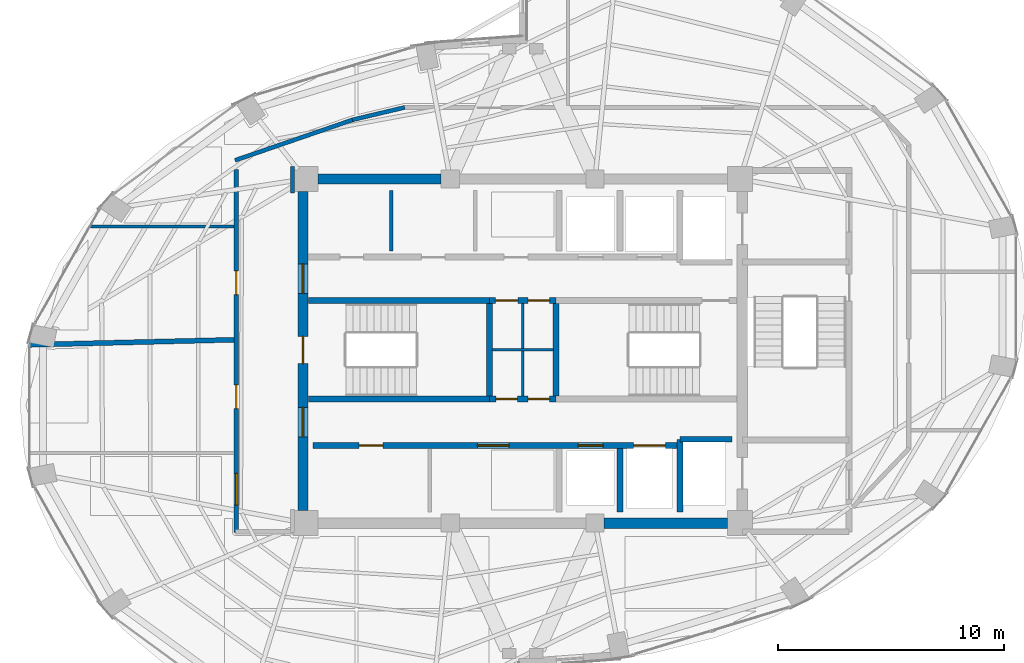
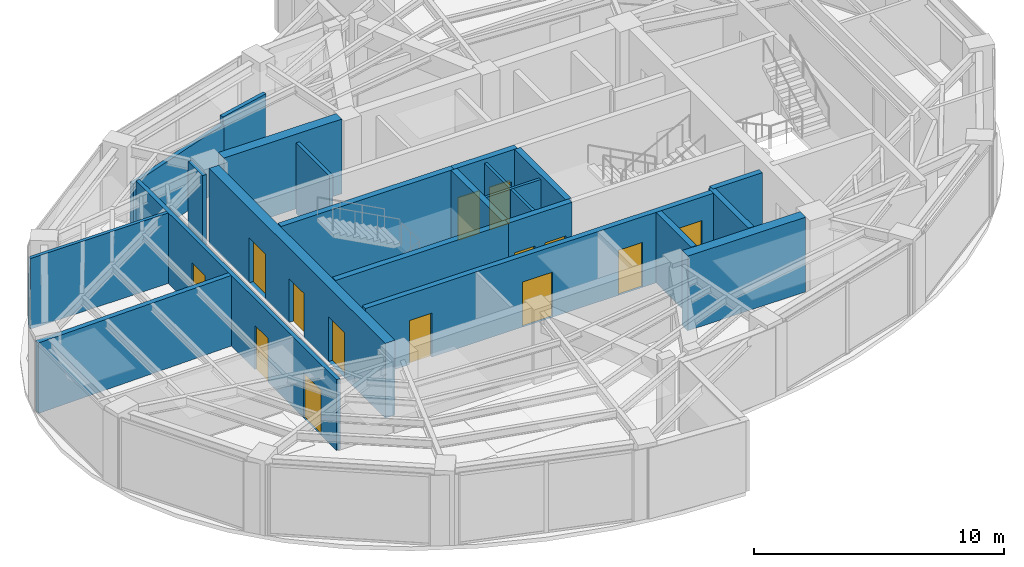
# One storey, part 19 of 23: 22 walls, 14 doors, 14 openings.
"""IFC4 building model written with IfcOpenShell, lengths in metres."""

from ifc_helpers import new_model, si_unit, direction, frame, frame_2d, origin, place, context, subcontext, project, spatial, rectangle, extrude, material, layer, layer_set, type_object, element, fill, save


model = new_model("IFC4")

# Units and contexts
model_context = context("Model", 3, precision=1e-05, world=origin(), true_north=direction((0.0, 1.0)))
body_context = subcontext(model_context, "Body", "Model", "MODEL_VIEW")
ifc_project = project(units=[si_unit("LENGTHUNIT", "METRE"), si_unit("AREAUNIT", "SQUARE_METRE"), si_unit("VOLUMEUNIT", "CUBIC_METRE"), si_unit("PLANEANGLEUNIT", "RADIAN"), si_unit("MASSUNIT", "GRAM", prefix="KILO")], contexts=[model_context])

# Site, building, storey
site_placement = place(None, origin())
site = spatial("IfcSite", under=ifc_project, at=site_placement, CompositionType="ELEMENT")
building_placement = place(site_placement, origin())
building = spatial("IfcBuilding", under=site, at=building_placement, Name="Lazwardi Medical Tower", CompositionType="ELEMENT")
storey_placement = place(building_placement, frame((0.0, 0.0, 231.31201171875)))
storey = spatial("IfcBuildingStorey", under=building, at=storey_placement, Name="L60", CompositionType="ELEMENT", Elevation=231.31201171875)

# Walls
ifc_material_1 = material(Name="Fire-rated gypsum board on steel stud", Category="steel")
ifc_layer_1 = layer(ifc_material_1, 0.179931640625)
ifc_layer_set_1 = layer_set([ifc_layer_1], Name="Fire-rated gypsum board on steel stud")
wall_type_1 = type_object("IfcWallType", Name="WL-COR-180", PredefinedType="PARTITIONING", material=ifc_layer_set_1)
wall_1_placement = place(storey_placement, frame((23.294189453125, 36.422119140625, 0.0), z_axis=(0.0, 0.0, 1.0), x_axis=(0.945493277461, 0.325641616316, 0.0)))
element("IfcWall", 1, at=wall_1_placement, inside=storey, type_object=wall_type_1, Name="L60 Corridor partition 1", PredefinedType="PARTITIONING", context=body_context, shape_type="SweptSolid", body=[
    extrude(rectangle(XDim=5.5615234375, YDim=0.179931640625, at=frame_2d((2.78076171875, 0.0))), origin(), (0.0, 0.0, 1.0), 3.072998046875),
])
wall_2_placement = place(storey_placement, frame((28.475830078125, 38.2109375, 0.0), z_axis=(0.0, 0.0, 1.0), x_axis=(0.973030562203, 0.230676234189, 0.0)))
element("IfcWall", 2, at=wall_2_placement, inside=storey, type_object=wall_type_1, Name="L60 Corridor partition 2", PredefinedType="PARTITIONING", context=body_context, shape_type="SweptSolid", body=[
    extrude(rectangle(XDim=2.377197265625, YDim=0.179931640625, at=frame_2d((1.1884765625, 0.0))), origin(), (0.0, 0.0, 1.0), 3.447998046875),
])
wall_3_placement = place(storey_placement, frame((25.830078125, 36.139892578125, 0.0), z_axis=(0.0, 0.0, 1.0), x_axis=(0.0, -1.0, 0.0)))
element("IfcWall", 3, at=wall_3_placement, inside=storey, type_object=wall_type_1, Name="L60 Corridor partition 7", PredefinedType="PARTITIONING", context=body_context, shape_type="SweptSolid", body=[
    extrude(rectangle(XDim=1.14990234375, YDim=0.179931640625, at=frame_2d((0.574951171875, 0.0))), origin(), (0.0, 0.0, 1.0), 3.447998046875),
])

# Wall, openings, doors
wall_4_placement = place(storey_placement, frame((23.35009765625, 19.97998046875, 0.0), z_axis=(0.0, 0.0, 1.0), x_axis=(0.0, 1.0, 0.0)))
wall_4 = element("IfcWall", 4, at=wall_4_placement, inside=storey, type_object=wall_type_1, Name="L60 Corridor partition 10", PredefinedType="PARTITIONING", context=body_context, shape_type="SweptSolid", body=[
    extrude(rectangle(XDim=16.04248046875, YDim=0.179931640625, at=frame_2d((8.021240234375, 0.0))), origin(), (0.0, 0.0, 1.0), 3.447998046875),
])
opening_1_placement = place(wall_4_placement, frame((5.4765625, 0.0, 0.0)))
opening_1 = element("IfcOpeningElement", 5, at=opening_1_placement, cuts=wall_4, Name="Opening D-L60-014", PredefinedType="OPENING", context=body_context, shape_type="SweptSolid", body=[
    extrude(rectangle(XDim=1.050048828125, YDim=2.14990234375, at=frame_2d((0.52490234375, 1.074951171875))), frame((0.0, 0.099853515625, 0.0), z_axis=(0.0, -1.0, 0.0), x_axis=(1.0, 0.0, 0.0)), (0.0, 0.0, 1.0), 0.199951171875),
])
opening_2_placement = place(wall_4_placement, frame((1.218994140625, 0.0, 0.0)))
opening_2 = element("IfcOpeningElement", 6, at=opening_2_placement, cuts=wall_4, Name="Opening D-L60-015", PredefinedType="OPENING", context=body_context, shape_type="SweptSolid", body=[
    extrude(rectangle(XDim=1.39990234375, YDim=2.199951171875, at=frame_2d((0.699951171875, 1.10009765625))), frame((0.0, 0.099853515625, 0.0), z_axis=(0.0, -1.0, 0.0), x_axis=(1.0, 0.0, 0.0)), (0.0, 0.0, 1.0), 0.199951171875),
])
opening_3_placement = place(wall_4_placement, frame((10.511474609375, 0.0, 0.0)))
opening_3 = element("IfcOpeningElement", 7, at=opening_3_placement, cuts=wall_4, Name="Opening D-L60-019", PredefinedType="OPENING", context=body_context, shape_type="SweptSolid", body=[
    extrude(rectangle(XDim=1.050048828125, YDim=2.14990234375, at=frame_2d((0.52490234375, 1.074951171875))), frame((0.0, 0.099853515625, 0.0), z_axis=(0.0, -1.0, 0.0), x_axis=(1.0, 0.0, 0.0)), (0.0, 0.0, 1.0), 0.199951171875),
])
ifc_material_2 = material(Name="Anti-microbial laminate hospital leaf")
door_type_1 = type_object("IfcDoorType", Name="DR-BED-1400", OperationType="NOTDEFINED", PredefinedType="DOOR", material=ifc_material_2)
door_1_placement = place(opening_2_placement, origin())
door_1 = element("IfcDoor", 8, at=door_1_placement, inside=storey, type_object=door_type_1, Name="L60 Department Reception Foyer Door 02", OperationType="SINGLE_SWING_LEFT", OverallHeight=2.199951171875, OverallWidth=1.39990234375, PredefinedType="DOOR", context=body_context, shape_type="SweptSolid", body=[
    extrude(rectangle(XDim=1.39990234375, YDim=2.199951171875, at=frame_2d((0.699951171875, 1.10009765625))), frame((0.0, 0.02490234375, 0.0), z_axis=(0.0, -1.0, 0.0), x_axis=(1.0, 0.0, 0.0)), (0.0, 0.0, 1.0), 0.050048828125),
])
fill(opening_2, door_1)
door_type_2 = type_object("IfcDoorType", Name="DR-CLN-1050", OperationType="NOTDEFINED", PredefinedType="DOOR", material=ifc_material_2)
door_2_placement = place(opening_1_placement, origin())
door_2 = element("IfcDoor", 9, at=door_2_placement, inside=storey, type_object=door_type_2, Name="L60 Clinical Specialist Office Door 01", OperationType="SINGLE_SWING_RIGHT", OverallHeight=2.14990234375, OverallWidth=1.050048828125, PredefinedType="DOOR", context=body_context, shape_type="SweptSolid", body=[
    extrude(rectangle(XDim=1.050048828125, YDim=2.14990234375, at=frame_2d((0.52490234375, 1.074951171875))), frame((0.0, 0.02490234375, 0.0), z_axis=(0.0, -1.0, 0.0), x_axis=(1.0, 0.0, 0.0)), (0.0, 0.0, 1.0), 0.050048828125),
])
fill(opening_1, door_2)
door_3_placement = place(opening_3_placement, origin())
door_3 = element("IfcDoor", 10, at=door_3_placement, inside=storey, type_object=door_type_2, Name="L60 Clinical Specialist Office Door 06", OperationType="SINGLE_SWING_LEFT", OverallHeight=2.14990234375, OverallWidth=1.050048828125, PredefinedType="DOOR", context=body_context, shape_type="SweptSolid", body=[
    extrude(rectangle(XDim=1.050048828125, YDim=2.14990234375, at=frame_2d((0.52490234375, 1.074951171875))), frame((0.0, 0.02490234375, 0.0), z_axis=(0.0, -1.0, 0.0), x_axis=(1.0, 0.0, 0.0)), (0.0, 0.0, 1.0), 0.050048828125),
])
fill(opening_3, door_3)

ifc_material_3 = material(Name="Concrete C60/75", Category="concrete")
ifc_layer_2 = layer(ifc_material_3, 0.449951171875)
ifc_layer_set_2 = layer_set([ifc_layer_2], Name="Concrete C60/75")
wall_type_2 = type_object("IfcWallType", Name="WL-CORE-450", PredefinedType="SHEAR", material=ifc_layer_set_2)
wall_5_placement = place(storey_placement, frame((26.300048828125, 20.949951171875, 0.0), z_axis=(0.0, 0.0, 1.0), x_axis=(0.0, 1.0, 0.0)))
wall_5 = element("IfcWall", 11, at=wall_5_placement, inside=storey, type_object=wall_type_2, Name="Core wall CW-S4 west L60", PredefinedType="SHEAR", context=body_context, shape_type="SweptSolid", body=[
    extrude(rectangle(XDim=14.10009765625, YDim=0.449951171875, at=frame_2d((7.050048828125, 0.0))), origin(), (0.0, 0.0, 1.0), 3.64794921875),
])
opening_4_placement = place(wall_5_placement, frame((6.5, 0.0, 0.0)))
opening_4 = element("IfcOpeningElement", 12, at=opening_4_placement, cuts=wall_5, Name="Opening D-L60-020", PredefinedType="OPENING", context=body_context, shape_type="SweptSolid", body=[
    extrude(rectangle(XDim=1.199951171875, YDim=2.14990234375, at=frame_2d((0.60009765625, 1.074951171875))), frame((0.0, 0.23486328125, 0.0), z_axis=(0.0, -1.0, 0.0), x_axis=(1.0, 0.0, 0.0)), (0.0, 0.0, 1.0), 0.469970703125),
])
opening_5_placement = place(wall_5_placement, frame((9.60009765625, 0.0, 0.0)))
opening_5 = element("IfcOpeningElement", 13, at=opening_5_placement, cuts=wall_5, Name="Opening D-L60-012", PredefinedType="OPENING", context=body_context, shape_type="SweptSolid", body=[
    extrude(rectangle(XDim=1.300048828125, YDim=2.199951171875, at=frame_2d((0.64990234375, 1.10009765625))), frame((0.0, 0.23486328125, 0.0), z_axis=(0.0, -1.0, 0.0), x_axis=(1.0, 0.0, 0.0)), (0.0, 0.0, 1.0), 0.469970703125),
])
opening_6_placement = place(wall_5_placement, frame((3.260009765625, 0.0, 0.0)))
opening_6 = element("IfcOpeningElement", 14, at=opening_6_placement, cuts=wall_5, Name="Opening D-L60-013", PredefinedType="OPENING", context=body_context, shape_type="SweptSolid", body=[
    extrude(rectangle(XDim=1.300048828125, YDim=2.199951171875, at=frame_2d((0.64990234375, 1.10009765625))), frame((0.0, 0.23486328125, 0.0), z_axis=(0.0, -1.0, 0.0), x_axis=(1.0, 0.0, 0.0)), (0.0, 0.0, 1.0), 0.469970703125),
])
ifc_material_4 = material(Name="Fire-rated steel leaf and frame", Category="steel")
door_type_3 = type_object("IfcDoorType", Name="DR-FFL-1300", OperationType="NOTDEFINED", PredefinedType="DOOR", material=ifc_material_4)
door_4_placement = place(opening_5_placement, origin())
door_4 = element("IfcDoor", 15, at=door_4_placement, inside=storey, type_object=door_type_3, Name="L60 North Lift Lobby Door", OperationType="SINGLE_SWING_RIGHT", OverallHeight=2.199951171875, OverallWidth=1.300048828125, PredefinedType="DOOR", context=body_context, shape_type="SweptSolid", body=[
    extrude(rectangle(XDim=1.300048828125, YDim=2.199951171875, at=frame_2d((0.64990234375, 1.10009765625))), frame((0.0, 0.02490234375, 0.0), z_axis=(0.0, -1.0, 0.0), x_axis=(1.0, 0.0, 0.0)), (0.0, 0.0, 1.0), 0.050048828125),
])
fill(opening_5, door_4)
door_5_placement = place(opening_6_placement, origin())
door_5 = element("IfcDoor", 16, at=door_5_placement, inside=storey, type_object=door_type_3, Name="L60 South Lift Lobby Door", OperationType="SINGLE_SWING_LEFT", OverallHeight=2.199951171875, OverallWidth=1.300048828125, PredefinedType="DOOR", context=body_context, shape_type="SweptSolid", body=[
    extrude(rectangle(XDim=1.300048828125, YDim=2.199951171875, at=frame_2d((0.64990234375, 1.10009765625))), frame((0.0, 0.02490234375, 0.0), z_axis=(0.0, -1.0, 0.0), x_axis=(1.0, 0.0, 0.0)), (0.0, 0.0, 1.0), 0.050048828125),
])
fill(opening_6, door_5)
door_type_4 = type_object("IfcDoorType", Name="DR-STR-1200", OperationType="NOTDEFINED", PredefinedType="DOOR", material=ifc_material_4)
door_6_placement = place(opening_4_placement, origin())
door_6 = element("IfcDoor", 17, at=door_6_placement, inside=storey, type_object=door_type_4, Name="L60 Exit Stair ST1 Door", OperationType="SINGLE_SWING_RIGHT", OverallHeight=2.14990234375, OverallWidth=1.199951171875, PredefinedType="DOOR", context=body_context, shape_type="SweptSolid", body=[
    extrude(rectangle(XDim=1.199951171875, YDim=2.14990234375, at=frame_2d((0.60009765625, 1.074951171875))), frame((0.0, 0.02490234375, 0.0), z_axis=(0.0, -1.0, 0.0), x_axis=(1.0, 0.0, 0.0)), (0.0, 0.0, 1.0), 0.050048828125),
])
fill(opening_4, door_6)

# Walls
for number, where, z_axis, x_axis, name in (
    (18, (26.949951171875, 35.60009765625, 0.0), (0.0, 0.0, 1.0), (1.0, 0.0, 0.0), "Core wall CW-S4 N1 L60"),
    (19, (39.60009765625, 20.39990234375, 0.0), (0.0, 0.0, 1.0), (1.0, 0.0, 0.0), "Core wall CW-S4 S3 L60"),
):
    element("IfcWall", number, at=place(storey_placement, frame(where, z_axis=z_axis, x_axis=x_axis)), inside=storey, type_object=wall_type_2, Name=name, PredefinedType="SHEAR", context=body_context, shape_type="SweptSolid", body=[
        extrude(rectangle(XDim=5.449951171875, YDim=0.449951171875, at=frame_2d((2.72509765625, 0.0))), origin(), (0.0, 0.0, 1.0), 3.64794921875),
    ])
ifc_material_5 = material(Name="Moisture-resistant gypsum board partition")
ifc_layer_3 = layer(ifc_material_5, 0.125)
ifc_layer_set_3 = layer_set([ifc_layer_3], Name="Moisture-resistant gypsum board partition")
wall_type_3 = type_object("IfcWallType", Name="WL-ENS-125", PredefinedType="PARTITIONING", material=ifc_layer_set_3)
wall_6_placement = place(storey_placement, frame((34.64990234375, 28.06005859375, 0.0), z_axis=(0.0, 0.0, 1.0), x_axis=(1.0, 0.0, 0.0)))
element("IfcWall", 20, at=wall_6_placement, inside=storey, type_object=wall_type_3, Name="L60 Core 4-way H divider", PredefinedType="PARTITIONING", context=body_context, shape_type="SweptSolid", body=[
    extrude(rectangle(XDim=2.7001953125, YDim=0.125, at=frame_2d((1.35009765625, 0.0))), origin(), (0.0, 0.0, 1.0), 3.447998046875),
])
wall_7_placement = place(storey_placement, frame((36.0, 26.02001953125, 0.0), z_axis=(0.0, 0.0, 1.0), x_axis=(0.0, 1.0, 0.0)))
element("IfcWall", 21, at=wall_7_placement, inside=storey, type_object=wall_type_3, Name="L60 Core 4-way V divider", PredefinedType="PARTITIONING", context=body_context, shape_type="SweptSolid", body=[
    extrude(rectangle(XDim=4.080078125, YDim=0.125, at=frame_2d((2.0400390625, 0.0))), origin(), (0.0, 0.0, 1.0), 3.447998046875),
])

# Wall, openings, doors
ifc_material_6 = material(Name="Autoclaved aerated concrete blockwork", Category="masonry")
ifc_layer_4 = layer(ifc_material_6, 0.25)
ifc_layer_set_4 = layer_set([ifc_layer_4], Name="Autoclaved aerated concrete blockwork")
wall_type_4 = type_object("IfcWallType", Name="WL-SHAFT-250", PredefinedType="SOLIDWALL", material=ifc_layer_set_4)
wall_8_placement = place(storey_placement, frame((26.75, 23.830078125, 0.0), z_axis=(0.0, 0.0, 1.0), x_axis=(1.0, 0.0, 0.0)))
wall_8 = element("IfcWall", 22, at=wall_8_placement, inside=storey, type_object=wall_type_4, Name="L60 South lift bank front wall", PredefinedType="SOLIDWALL", context=body_context, shape_type="SweptSolid", body=[
    extrude(rectangle(XDim=16.199951171875, YDim=0.25, at=frame_2d((8.10009765625, 0.0))), origin(), (0.0, 0.0, 1.0), 3.447998046875),
])
opening_7_placement = place(wall_8_placement, frame((2.02490234375, 0.0, 0.0)))
opening_7 = element("IfcOpeningElement", 23, at=opening_7_placement, cuts=wall_8, Name="Opening D-L60-008", PredefinedType="OPENING", context=body_context, shape_type="SweptSolid", body=[
    extrude(rectangle(XDim=1.050048828125, YDim=2.14990234375, at=frame_2d((0.52490234375, 1.074951171875))), frame((0.0, 0.135009765625, 0.0), z_axis=(0.0, -1.0, 0.0), x_axis=(1.0, 0.0, 0.0)), (0.0, 0.0, 1.0), 0.27001953125),
])
opening_8_placement = place(wall_8_placement, frame((7.25, 0.0, 0.0)))
opening_8 = element("IfcOpeningElement", 24, at=opening_8_placement, cuts=wall_8, Name="Opening D-L60-009", PredefinedType="OPENING", context=body_context, shape_type="SweptSolid", body=[
    extrude(rectangle(XDim=1.39990234375, YDim=2.199951171875, at=frame_2d((0.699951171875, 1.10009765625))), frame((0.0, 0.135009765625, 0.0), z_axis=(0.0, -1.0, 0.0), x_axis=(1.0, 0.0, 0.0)), (0.0, 0.0, 1.0), 0.27001953125),
])
opening_9_placement = place(wall_8_placement, frame((11.699951171875, 0.0, 0.0)))
opening_9 = element("IfcOpeningElement", 25, at=opening_9_placement, cuts=wall_8, Name="Opening LD-L60-006", PredefinedType="OPENING", context=body_context, shape_type="SweptSolid", body=[
    extrude(rectangle(XDim=1.10009765625, YDim=2.199951171875, at=frame_2d((0.550048828125, 1.10009765625))), frame((0.0, 0.135009765625, 0.0), z_axis=(0.0, -1.0, 0.0), x_axis=(1.0, 0.0, 0.0)), (0.0, 0.0, 1.0), 0.27001953125),
])
opening_10_placement = place(wall_8_placement, frame((14.14990234375, 0.0, 0.0)))
opening_10 = element("IfcOpeningElement", 26, at=opening_10_placement, cuts=wall_8, Name="Opening LD-L60-003", PredefinedType="OPENING", context=body_context, shape_type="SweptSolid", body=[
    extrude(rectangle(XDim=1.39990234375, YDim=2.300048828125, at=frame_2d((0.699951171875, 1.14990234375))), frame((0.0, 0.135009765625, 0.0), z_axis=(0.0, -1.0, 0.0), x_axis=(1.0, 0.0, 0.0)), (0.0, 0.0, 1.0), 0.27001953125),
])
door_7_placement = place(opening_8_placement, origin())
door_7 = element("IfcDoor", 27, at=door_7_placement, inside=storey, type_object=door_type_1, Name="L60 Dialysis Door", OperationType="SINGLE_SWING_RIGHT", OverallHeight=2.199951171875, OverallWidth=1.39990234375, PredefinedType="DOOR", context=body_context, shape_type="SweptSolid", body=[
    extrude(rectangle(XDim=1.39990234375, YDim=2.199951171875, at=frame_2d((0.699951171875, 1.10009765625))), frame((0.0, 0.02490234375, 0.0), z_axis=(0.0, -1.0, 0.0), x_axis=(1.0, 0.0, 0.0)), (0.0, 0.0, 1.0), 0.050048828125),
])
fill(opening_8, door_7)
door_8_placement = place(opening_7_placement, origin())
door_8 = element("IfcDoor", 28, at=door_8_placement, inside=storey, type_object=door_type_2, Name="L60 Clinical Laboratory Door", OperationType="SINGLE_SWING_LEFT", OverallHeight=2.14990234375, OverallWidth=1.050048828125, PredefinedType="DOOR", context=body_context, shape_type="SweptSolid", body=[
    extrude(rectangle(XDim=1.050048828125, YDim=2.14990234375, at=frame_2d((0.52490234375, 1.074951171875))), frame((0.0, 0.02490234375, 0.0), z_axis=(0.0, -1.0, 0.0), x_axis=(1.0, 0.0, 0.0)), (0.0, 0.0, 1.0), 0.050048828125),
])
fill(opening_7, door_8)
ifc_material_7 = material(Name="Brushed bronze stainless steel landing door", Category="steel")
door_type_5 = type_object("IfcDoorType", Name="DR-LFT-1100", OperationType="NOTDEFINED", PredefinedType="DOOR", material=ifc_material_7)
door_9_placement = place(opening_9_placement, origin())
door_9 = element("IfcDoor", 29, at=door_9_placement, inside=storey, type_object=door_type_5, Name="L60 Lift Landing Door PL-11", OperationType="SLIDING_TO_LEFT", OverallHeight=2.199951171875, OverallWidth=1.10009765625, PredefinedType="DOOR", context=body_context, shape_type="SweptSolid", body=[
    extrude(rectangle(XDim=1.10009765625, YDim=2.199951171875, at=frame_2d((0.550048828125, 1.10009765625))), frame((0.0, 0.02490234375, 0.0), z_axis=(0.0, -1.0, 0.0), x_axis=(1.0, 0.0, 0.0)), (0.0, 0.0, 1.0), 0.050048828125),
])
fill(opening_9, door_9)
ifc_material_8 = material(Name="Brushed stainless steel bed-lift landing door", Category="steel")
door_type_6 = type_object("IfcDoorType", Name="DR-LFT-1400", OperationType="NOTDEFINED", PredefinedType="DOOR", material=ifc_material_8)
door_10_placement = place(opening_10_placement, origin())
door_10 = element("IfcDoor", 30, at=door_10_placement, inside=storey, type_object=door_type_6, Name="L60 Lift Landing Door FL-03", OperationType="SLIDING_TO_LEFT", OverallHeight=2.300048828125, OverallWidth=1.39990234375, PredefinedType="DOOR", context=body_context, shape_type="SweptSolid", body=[
    extrude(rectangle(XDim=1.39990234375, YDim=2.300048828125, at=frame_2d((0.699951171875, 1.14990234375))), frame((0.0, 0.02490234375, 0.0), z_axis=(0.0, -1.0, 0.0), x_axis=(1.0, 0.0, 0.0)), (0.0, 0.0, 1.0), 0.050048828125),
])
fill(opening_10, door_10)

# Walls
wall_9_placement = place(storey_placement, frame((42.949951171875, 20.89990234375, 0.0), z_axis=(0.0, 0.0, 1.0), x_axis=(0.0, 1.0, 0.0)))
element("IfcWall", 31, at=wall_9_placement, inside=storey, type_object=wall_type_4, Name="L60 FL-02 West shaft wall", PredefinedType="SOLIDWALL", context=body_context, shape_type="SweptSolid", body=[
    extrude(rectangle(XDim=3.2001953125, YDim=0.25, at=frame_2d((1.60009765625, 0.0))), origin(), (0.0, 0.0, 1.0), 3.447998046875),
])
wall_10_placement = place(storey_placement, frame((42.949951171875, 24.10009765625, 0.0), z_axis=(0.0, 0.0, 1.0), x_axis=(1.0, 0.0, 0.0)))
element("IfcWall", 32, at=wall_10_placement, inside=storey, type_object=wall_type_4, Name="L60 FL-02 North shaft wall", PredefinedType="SOLIDWALL", context=body_context, shape_type="SweptSolid", body=[
    extrude(rectangle(XDim=2.300048828125, YDim=0.25, at=frame_2d((1.14990234375, 0.0))), origin(), (0.0, 0.0, 1.0), 3.447998046875),
])
wall_11_placement = place(storey_placement, frame((40.300048828125, 20.89990234375, 0.0), z_axis=(0.0, 0.0, 1.0), x_axis=(0.0, 1.0, 0.0)))
element("IfcWall", 33, at=wall_11_placement, inside=storey, type_object=wall_type_4, Name="L60 South hoistway divider", PredefinedType="SOLIDWALL", context=body_context, shape_type="SweptSolid", body=[
    extrude(rectangle(XDim=2.800048828125, YDim=0.25, at=frame_2d((1.39990234375, 0.0))), origin(), (0.0, 0.0, 1.0), 3.447998046875),
])
ifc_layer_5 = layer(ifc_material_1, 0.219970703125)
ifc_layer_set_5 = layer_set([ifc_layer_5], Name="Fire-rated gypsum board on steel stud")
wall_type_5 = type_object("IfcWallType", Name="WL-SMK-220", PredefinedType="PARTITIONING", material=ifc_layer_set_5)
wall_12_placement = place(storey_placement, frame((14.213134765625, 28.275390625, 0.0), z_axis=(0.0, 0.0, 1.0), x_axis=(0.99969661311, 0.024630910184, 0.0)))
element("IfcWall", 34, at=wall_12_placement, inside=storey, type_object=wall_type_5, Name="L60 Room partition 2", PredefinedType="PARTITIONING", context=body_context, shape_type="SweptSolid", body=[
    extrude(rectangle(XDim=9.049560546875, YDim=0.219970703125, at=frame_2d((4.52490234375, 0.0))), origin(), (0.0, 0.0, 1.0), 3.447998046875),
])
ifc_material_9 = material(Name="Concrete C50/60", Category="concrete")
ifc_layer_6 = layer(ifc_material_9, 0.27001953125)
ifc_layer_set_6 = layer_set([ifc_layer_6], Name="Concrete C50/60")
wall_type_6 = type_object("IfcWallType", Name="WL-STR-250", PredefinedType="SHEAR", material=ifc_layer_set_6)
wall_13_placement = place(storey_placement, frame((26.550048828125, 30.235107421875, 0.0), z_axis=(0.0, 0.0, 1.0), x_axis=(1.0, 0.0, 0.0)))
element("IfcWall", 35, at=wall_13_placement, inside=storey, type_object=wall_type_6, Name="L60 ST1 North shear shaft wall SW-S1", PredefinedType="SHEAR", context=body_context, shape_type="SweptSolid", body=[
    extrude(rectangle(XDim=7.98486328125, YDim=0.27001953125, at=frame_2d((3.992431640625, 0.0))), origin(), (0.0, 0.0, 1.0), 3.64794921875),
])

# Wall, openings, doors
wall_14_placement = place(storey_placement, frame((34.534912109375, 30.235107421875, 0.0), z_axis=(0.0, 0.0, 1.0), x_axis=(1.0, 0.0, 0.0)))
wall_14 = element("IfcWall", 36, at=wall_14_placement, inside=storey, type_object=wall_type_6, Name="L60 Core service North shear wall SW-S1", PredefinedType="SHEAR", context=body_context, shape_type="SweptSolid", body=[
    extrude(rectangle(XDim=2.93017578125, YDim=0.27001953125, at=frame_2d((1.465087890625, 0.0))), origin(), (0.0, 0.0, 1.0), 3.64794921875),
])
opening_11_placement = place(wall_14_placement, frame((0.2548828125, 0.0, 0.0)))
opening_11 = element("IfcOpeningElement", 37, at=opening_11_placement, cuts=wall_14, Name="Opening D-L60-003", PredefinedType="OPENING", context=body_context, shape_type="SweptSolid", body=[
    extrude(rectangle(XDim=1.0, YDim=2.10009765625, at=frame_2d((0.5, 1.050048828125))), frame((0.0, 0.14501953125, 0.0), z_axis=(0.0, -1.0, 0.0), x_axis=(1.0, 0.0, 0.0)), (0.0, 0.0, 1.0), 0.2900390625),
])
opening_12_placement = place(wall_14_placement, frame((1.699951171875, 0.0, 0.0)))
opening_12 = element("IfcOpeningElement", 38, at=opening_12_placement, cuts=wall_14, Name="Opening D-L60-004", PredefinedType="OPENING", context=body_context, shape_type="SweptSolid", body=[
    extrude(rectangle(XDim=0.949951171875, YDim=2.10009765625, at=frame_2d((0.47509765625, 1.050048828125))), frame((0.0, 0.14501953125, 0.0), z_axis=(0.0, -1.0, 0.0), x_axis=(1.0, 0.0, 0.0)), (0.0, 0.0, 1.0), 0.2900390625),
])
ifc_material_10 = material(Name="Moisture-resistant laminate door leaf")
door_type_7 = type_object("IfcDoorType", Name="DR-AWC-1000", OperationType="NOTDEFINED", PredefinedType="DOOR", material=ifc_material_10)
door_11_placement = place(opening_11_placement, origin())
door_11 = element("IfcDoor", 39, at=door_11_placement, inside=storey, type_object=door_type_7, Name="L60 Accessible WC Door", OperationType="SINGLE_SWING_RIGHT", OverallHeight=2.10009765625, OverallWidth=1.0, PredefinedType="DOOR", context=body_context, shape_type="SweptSolid", body=[
    extrude(rectangle(XDim=1.0, YDim=2.10009765625, at=frame_2d((0.5, 1.050048828125))), frame((0.0, 0.02490234375, 0.0), z_axis=(0.0, -1.0, 0.0), x_axis=(1.0, 0.0, 0.0)), (0.0, 0.0, 1.0), 0.050048828125),
])
fill(opening_11, door_11)
door_type_8 = type_object("IfcDoorType", Name="DR-ENS-950", OperationType="NOTDEFINED", PredefinedType="DOOR", material=ifc_material_10)
door_12_placement = place(opening_12_placement, origin())
door_12 = element("IfcDoor", 40, at=door_12_placement, inside=storey, type_object=door_type_8, Name="L60 Clean Utility Door", OperationType="SINGLE_SWING_LEFT", OverallHeight=2.10009765625, OverallWidth=0.949951171875, PredefinedType="DOOR", context=body_context, shape_type="SweptSolid", body=[
    extrude(rectangle(XDim=0.949951171875, YDim=2.10009765625, at=frame_2d((0.47509765625, 1.050048828125))), frame((0.0, 0.02490234375, 0.0), z_axis=(0.0, -1.0, 0.0), x_axis=(1.0, 0.0, 0.0)), (0.0, 0.0, 1.0), 0.050048828125),
])
fill(opening_12, door_12)

# Wall
wall_15_placement = place(storey_placement, frame((26.550048828125, 25.885009765625, 0.0), z_axis=(0.0, 0.0, 1.0), x_axis=(1.0, 0.0, 0.0)))
element("IfcWall", 41, at=wall_15_placement, inside=storey, type_object=wall_type_6, Name="L60 ST1 South shear shaft wall SW-S1", PredefinedType="SHEAR", context=body_context, shape_type="SweptSolid", body=[
    extrude(rectangle(XDim=7.98486328125, YDim=0.27001953125, at=frame_2d((3.992431640625, 0.0))), origin(), (0.0, 0.0, 1.0), 3.64794921875),
])

# Wall, openings, doors
wall_16_placement = place(storey_placement, frame((34.534912109375, 25.885009765625, 0.0), z_axis=(0.0, 0.0, 1.0), x_axis=(1.0, 0.0, 0.0)))
wall_16 = element("IfcWall", 42, at=wall_16_placement, inside=storey, type_object=wall_type_6, Name="L60 Core service South shear wall SW-S1", PredefinedType="SHEAR", context=body_context, shape_type="SweptSolid", body=[
    extrude(rectangle(XDim=2.93017578125, YDim=0.27001953125, at=frame_2d((1.465087890625, 0.0))), origin(), (0.0, 0.0, 1.0), 3.64794921875),
])
opening_13_placement = place(wall_16_placement, frame((0.280029296875, 0.0, 0.0)))
opening_13 = element("IfcOpeningElement", 43, at=opening_13_placement, cuts=wall_16, Name="Opening D-L60-001", PredefinedType="OPENING", context=body_context, shape_type="SweptSolid", body=[
    extrude(rectangle(XDim=0.949951171875, YDim=2.10009765625, at=frame_2d((0.47509765625, 1.050048828125))), frame((0.0, 0.14501953125, 0.0), z_axis=(0.0, -1.0, 0.0), x_axis=(1.0, 0.0, 0.0)), (0.0, 0.0, 1.0), 0.2900390625),
])
opening_14_placement = place(wall_16_placement, frame((1.699951171875, 0.0, 0.0)))
opening_14 = element("IfcOpeningElement", 44, at=opening_14_placement, cuts=wall_16, Name="Opening D-L60-002", PredefinedType="OPENING", context=body_context, shape_type="SweptSolid", body=[
    extrude(rectangle(XDim=0.949951171875, YDim=2.10009765625, at=frame_2d((0.47509765625, 1.050048828125))), frame((0.0, 0.14501953125, 0.0), z_axis=(0.0, -1.0, 0.0), x_axis=(1.0, 0.0, 0.0)), (0.0, 0.0, 1.0), 0.2900390625),
])
door_13_placement = place(opening_13_placement, origin())
door_13 = element("IfcDoor", 45, at=door_13_placement, inside=storey, type_object=door_type_8, Name="L60 Staff WC Door", OperationType="SINGLE_SWING_RIGHT", OverallHeight=2.10009765625, OverallWidth=0.949951171875, PredefinedType="DOOR", context=body_context, shape_type="SweptSolid", body=[
    extrude(rectangle(XDim=0.949951171875, YDim=2.10009765625, at=frame_2d((0.47509765625, 1.050048828125))), frame((0.0, 0.02490234375, 0.0), z_axis=(0.0, -1.0, 0.0), x_axis=(1.0, 0.0, 0.0)), (0.0, 0.0, 1.0), 0.050048828125),
])
fill(opening_13, door_13)
door_14_placement = place(opening_14_placement, origin())
door_14 = element("IfcDoor", 46, at=door_14_placement, inside=storey, type_object=door_type_8, Name="L60 Comms Room Door", OperationType="SINGLE_SWING_LEFT", OverallHeight=2.10009765625, OverallWidth=0.949951171875, PredefinedType="DOOR", context=body_context, shape_type="SweptSolid", body=[
    extrude(rectangle(XDim=0.949951171875, YDim=2.10009765625, at=frame_2d((0.47509765625, 1.050048828125))), frame((0.0, 0.02490234375, 0.0), z_axis=(0.0, -1.0, 0.0), x_axis=(1.0, 0.0, 0.0)), (0.0, 0.0, 1.0), 0.050048828125),
])
fill(opening_14, door_14)

# Walls
for number, where, z_axis, x_axis, name in (
    (47, (34.534912109375, 26.02001953125, 0.0), (0.0, 0.0, 1.0), (0.0, 1.0, 0.0), "L60 ST1 East shear shaft wall SW-S1"),
    (48, (37.465087890625, 26.02001953125, 0.0), (0.0, 0.0, 1.0), (0.0, 1.0, 0.0), "L60 ST2 West shear shaft wall SW-S1"),
):
    element("IfcWall", number, at=place(storey_placement, frame(where, z_axis=z_axis, x_axis=x_axis)), inside=storey, type_object=wall_type_6, Name=name, PredefinedType="SHEAR", context=body_context, shape_type="SweptSolid", body=[
        extrude(rectangle(XDim=4.080078125, YDim=0.27001953125, at=frame_2d((2.0400390625, 0.0))), origin(), (0.0, 0.0, 1.0), 3.64794921875),
    ])
ifc_material_11 = material(Name="Acoustic gypsum board partition")
ifc_layer_7 = layer(ifc_material_11, 0.14990234375)
ifc_layer_set_7 = layer_set([ifc_layer_7], Name="Acoustic gypsum board partition")
wall_type_7 = type_object("IfcWallType", Name="WL-WRD-150", PredefinedType="PARTITIONING", material=ifc_layer_set_7)
wall_17_placement = place(storey_placement, frame((30.199951171875, 32.419921875, 0.0), z_axis=(0.0, 0.0, 1.0), x_axis=(0.0, 1.0, 0.0)))
element("IfcWall", 49, at=wall_17_placement, inside=storey, type_object=wall_type_7, Name="L60 Freed bay2 N split A", PredefinedType="PARTITIONING", context=body_context, shape_type="SweptSolid", body=[
    extrude(rectangle(XDim=2.68017578125, YDim=0.14990234375, at=frame_2d((1.340087890625, 0.0))), origin(), (0.0, 0.0, 1.0), 3.447998046875),
])
wall_18_placement = place(storey_placement, frame((16.89501953125, 33.5, 0.0), z_axis=(0.0, 0.0, 1.0), x_axis=(1.0, 0.0, 0.0)))
element("IfcWall", 50, at=wall_18_placement, inside=storey, type_object=wall_type_7, Name="L60 Room partition 3", PredefinedType="PARTITIONING", context=body_context, shape_type="SweptSolid", body=[
    extrude(rectangle(XDim=6.364990234375, YDim=0.14990234375, at=frame_2d((3.1826171875, 0.0))), origin(), (0.0, 0.0, 1.0), 3.447998046875),
])

save(model, "model.ifc")
